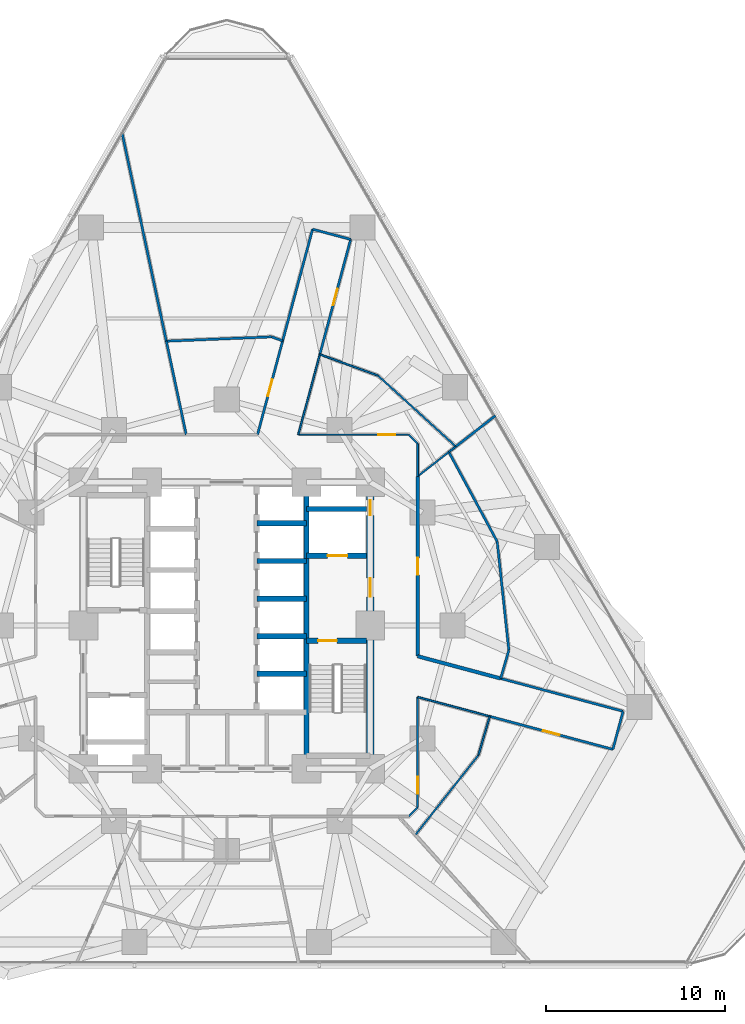
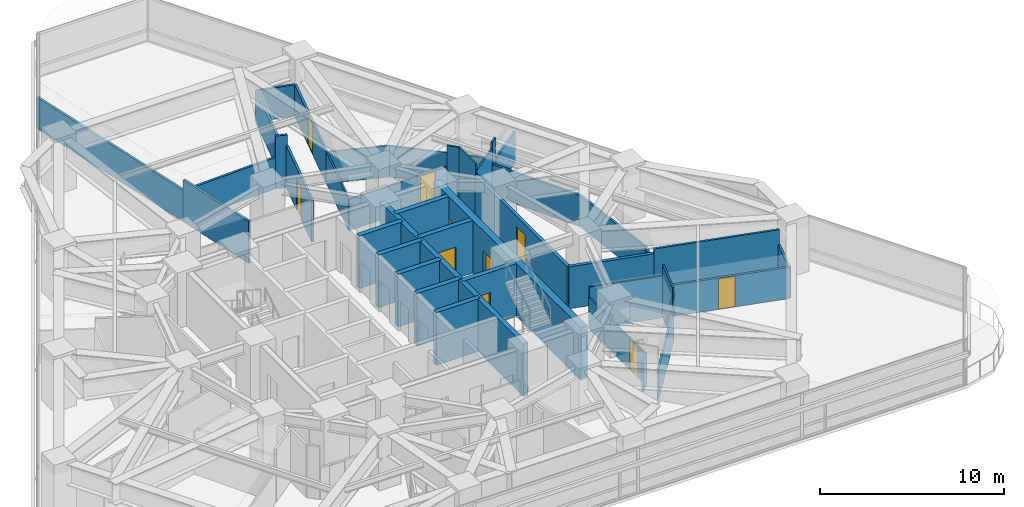
# One storey, part 10 of 15: 40 walls, 10 doors, 10 openings.
"""IFC4 building model written with IfcOpenShell, lengths in metres."""

from ifc_helpers import new_model, si_unit, direction, frame, frame_2d, origin, place, context, subcontext, project, spatial, rectangle, extrude, material, layer, layer_set, type_object, element, fill, save


model = new_model("IFC4")

# Units and contexts
model_context = context("Model", 3, precision=1e-05, world=origin(), true_north=direction((0.0, 1.0)))
body_context = subcontext(model_context, "Body", "Model", "MODEL_VIEW")
ifc_project = project(units=[si_unit("LENGTHUNIT", "METRE"), si_unit("AREAUNIT", "SQUARE_METRE"), si_unit("VOLUMEUNIT", "CUBIC_METRE"), si_unit("PLANEANGLEUNIT", "RADIAN"), si_unit("MASSUNIT", "GRAM", prefix="KILO")], contexts=[model_context])

# Site, building, storey
site_placement = place(None, origin())
site = spatial("IfcSite", under=ifc_project, at=site_placement, CompositionType="ELEMENT")
building_placement = place(site_placement, origin())
building = spatial("IfcBuilding", under=site, at=building_placement, Name="Terralouvre Media Tower", CompositionType="ELEMENT")
storey_placement = place(building_placement, frame((0.0, 0.0, 51.89990234375)))
storey = spatial("IfcBuildingStorey", under=building, at=storey_placement, Name="L12", CompositionType="ELEMENT", Elevation=51.89990234375)

# Wall
ifc_material_1 = material(Name="Concrete C50/60", Category="concrete")
ifc_layer_1 = layer(ifc_material_1, 0.300048828125, Name="Core Internal Shaft Wall CW-300")
ifc_layer_set_1 = layer_set([ifc_layer_1], Name="Concrete C50/60")
wall_type_1 = type_object("IfcWallType", Name="Core Internal Shaft Wall CW-300", PredefinedType="SHEAR", material=ifc_layer_set_1)
wall_1_placement = place(storey_placement, frame((4.449951171875, -7.7900390625, 0.0), z_axis=(0.0, 0.0, 1.0), x_axis=(0.0, 1.0, 0.0)))
element("IfcWall", 1, at=wall_1_placement, inside=storey, type_object=wall_type_1, Name="L12 Core Shaft Wall SPE", PredefinedType="SHEAR", context=body_context, shape_type="SweptSolid", body=[
    extrude(rectangle(XDim=15.580078125, YDim=0.300048828125, at=frame_2d((7.7900390625, 0.0))), origin(), (0.0, 0.0, 1.0), 3.5),
])

# Wall, opening, door
wall_2_placement = place(storey_placement, frame((4.449951171875, -0.85009765625, 0.0), z_axis=(0.0, 0.0, 1.0), x_axis=(1.0, 0.0, 0.0)))
wall_2 = element("IfcWall", 2, at=wall_2_placement, inside=storey, type_object=wall_type_1, Name="L12 Core Shaft Wall ST2D", PredefinedType="SHEAR", context=body_context, shape_type="SweptSolid", body=[
    extrude(rectangle(XDim=3.340087890625, YDim=0.300048828125, at=frame_2d((1.669921875, 0.0))), origin(), (0.0, 0.0, 1.0), 3.5),
])
opening_1_placement = place(wall_2_placement, frame((0.64990234375, 0.0, 0.0)))
opening_1 = element("IfcOpeningElement", 3, at=opening_1_placement, cuts=wall_2, Name="Opening FD-01-105X215", PredefinedType="OPENING", context=body_context, shape_type="SweptSolid", body=[
    extrude(rectangle(XDim=1.050048828125, YDim=2.14990234375, at=frame_2d((0.52490234375, 1.074951171875))), frame((0.0, 0.159912109375, 0.0), z_axis=(0.0, -1.0, 0.0), x_axis=(1.0, 0.0, 0.0)), (0.0, 0.0, 1.0), 0.320068359375),
])
ifc_material_2 = material(Name="Galvanised steel fire-resisting leaf", Category="steel")
door_type_1 = type_object("IfcDoorType", Name="Stair and Firefighting Lobby Fire Door FD-01 (1050x2150)", OperationType="NOTDEFINED", PredefinedType="DOOR", material=ifc_material_2)
door_1_placement = place(opening_1_placement, origin())
door_1 = element("IfcDoor", 4, at=door_1_placement, inside=storey, type_object=door_type_1, Name="L12 ST-02 Exit Stair Door", OperationType="SINGLE_SWING_RIGHT", OverallHeight=2.14990234375, OverallWidth=1.050048828125, PredefinedType="DOOR", context=body_context, shape_type="SweptSolid", body=[
    extrude(rectangle(XDim=1.050048828125, YDim=2.14990234375, at=frame_2d((0.52490234375, 1.074951171875))), frame((0.0, 0.02490234375, 0.0), z_axis=(0.0, -1.0, 0.0), x_axis=(1.0, 0.0, 0.0)), (0.0, 0.0, 1.0), 0.050048828125),
])
fill(opening_1, door_1)

wall_3_placement = place(storey_placement, frame((4.449951171875, 3.89990234375, 0.0), z_axis=(0.0, 0.0, 1.0), x_axis=(1.0, 0.0, 0.0)))
wall_3 = element("IfcWall", 5, at=wall_3_placement, inside=storey, type_object=wall_type_1, Name="L12 Core Shaft Wall FF2S", PredefinedType="SHEAR", context=body_context, shape_type="SweptSolid", body=[
    extrude(rectangle(XDim=3.340087890625, YDim=0.300048828125, at=frame_2d((1.669921875, 0.0))), origin(), (0.0, 0.0, 1.0), 3.5),
])
opening_2_placement = place(wall_3_placement, frame((1.179931640625, 0.0, 0.0)))
opening_2 = element("IfcOpeningElement", 6, at=opening_2_placement, cuts=wall_3, Name="Opening LD-FF", PredefinedType="OPENING", context=body_context, shape_type="SweptSolid", body=[
    extrude(rectangle(XDim=1.10009765625, YDim=2.10009765625, at=frame_2d((0.550048828125, 1.050048828125))), frame((0.0, 0.159912109375, 0.0), z_axis=(0.0, -1.0, 0.0), x_axis=(1.0, 0.0, 0.0)), (0.0, 0.0, 1.0), 0.320068359375),
])
ifc_material_3 = material(Name="Stainless steel 316 handrail and balustrade", Category="steel")
door_type_2 = type_object("IfcDoorType", Name="Firefighting Lift Sliding Landing Door LD-FF", OperationType="SLIDING_TO_LEFT", PredefinedType="DOOR", material=ifc_material_3)
door_2_placement = place(opening_2_placement, origin())
door_2 = element("IfcDoor", 7, at=door_2_placement, inside=storey, type_object=door_type_2, Name="L12 Firefighting Lift FFL-02 Landing Door", OperationType="SLIDING_TO_LEFT", OverallHeight=2.10009765625, OverallWidth=1.10009765625, PredefinedType="DOOR", context=body_context, shape_type="SweptSolid", body=[
    extrude(rectangle(XDim=1.10009765625, YDim=2.10009765625, at=frame_2d((0.550048828125, 1.050048828125))), frame((0.0, 0.02490234375, 0.0), z_axis=(0.0, -1.0, 0.0), x_axis=(1.0, 0.0, 0.0)), (0.0, 0.0, 1.0), 0.050048828125),
])
fill(opening_2, door_2)

# Walls
wall_4_placement = place(storey_placement, frame((4.449951171875, 6.5, 0.0), z_axis=(0.0, 0.0, 1.0), x_axis=(1.0, 0.0, 0.0)))
element("IfcWall", 8, at=wall_4_placement, inside=storey, type_object=wall_type_1, Name="L12 Core Shaft Wall FF2N", PredefinedType="SHEAR", context=body_context, shape_type="SweptSolid", body=[
    extrude(rectangle(XDim=3.340087890625, YDim=0.300048828125, at=frame_2d((1.669921875, 0.0))), origin(), (0.0, 0.0, 1.0), 3.5),
])
for number, where, z_axis, x_axis, name in (
    (9, (1.679931640625, 1.5, 0.0), (0.0, 0.0, 1.0), (1.0, 0.0, 0.0), "L12 Core Shaft Wall PLMD0"),
    (10, (1.679931640625, 3.60009765625, 0.0), (0.0, 0.0, 1.0), (1.0, 0.0, 0.0), "L12 Core Shaft Wall PLMD1"),
    (11, (1.679931640625, 5.699951171875, 0.0), (0.0, 0.0, 1.0), (1.0, 0.0, 0.0), "L12 Core Shaft Wall PLMD2"),
    (12, (1.679931640625, -2.699951171875, 0.0), (0.0, 0.0, 1.0), (1.0, 0.0, 0.0), "L12 Core Shaft Wall PLHD1"),
    (13, (1.679931640625, -0.60009765625, 0.0), (0.0, 0.0, 1.0), (1.0, 0.0, 0.0), "L12 Core Shaft Wall PLHD2"),
):
    element("IfcWall", number, at=place(storey_placement, frame(where, z_axis=z_axis, x_axis=x_axis)), inside=storey, type_object=wall_type_1, Name=name, PredefinedType="SHEAR", context=body_context, shape_type="SweptSolid", body=[
        extrude(rectangle(XDim=2.77001953125, YDim=0.300048828125, at=frame_2d((1.385009765625, 0.0))), origin(), (0.0, 0.0, 1.0), 3.5),
    ])

# Wall, openings, doors
ifc_material_4 = material(Name="Concrete C60/75", Category="concrete")
ifc_layer_2 = layer(ifc_material_4, 0.419921875, Name="Core Reinforced Concrete Shear Wall CW-420")
ifc_layer_set_2 = layer_set([ifc_layer_2], Name="Concrete C60/75")
wall_type_2 = type_object("IfcWallType", Name="Core Reinforced Concrete Shear Wall CW-420", PredefinedType="SHEAR", material=ifc_layer_set_2)
wall_5_placement = place(storey_placement, frame((8.0, -8.0, 0.0), z_axis=(0.0, 0.0, 1.0), x_axis=(0.0, 1.0, 0.0)))
wall_5 = element("IfcWall", 14, at=wall_5_placement, inside=storey, type_object=wall_type_2, Name="L12 E Core Shear Wall", PredefinedType="SHEAR", context=body_context, shape_type="SweptSolid", body=[
    extrude(rectangle(XDim=16.0, YDim=0.419921875, at=frame_2d((8.0, 0.0))), origin(), (0.0, 0.0, 1.0), 3.5),
])
opening_3_placement = place(wall_5_placement, frame((9.60009765625, 0.0, 0.0)))
opening_3 = element("IfcOpeningElement", 15, at=opening_3_placement, cuts=wall_5, Name="Opening FD-01-105X215", PredefinedType="OPENING", context=body_context, shape_type="SweptSolid", body=[
    extrude(rectangle(XDim=1.050048828125, YDim=2.14990234375, at=frame_2d((0.52490234375, 1.074951171875))), frame((0.0, 0.219970703125, 0.0), z_axis=(0.0, -1.0, 0.0), x_axis=(1.0, 0.0, 0.0)), (0.0, 0.0, 1.0), 0.43994140625),
])
opening_4_placement = place(wall_5_placement, frame((14.148193359375, 0.0, 0.0)))
opening_4 = element("IfcOpeningElement", 16, at=opening_4_placement, cuts=wall_5, Name="Opening TD-R1", PredefinedType="OPENING", context=body_context, shape_type="SweptSolid", body=[
    extrude(rectangle(XDim=0.85009765625, YDim=2.02001953125, at=frame_2d((0.425048828125, 1.010009765625))), frame((0.0, 0.219970703125, 0.0), z_axis=(0.0, -1.0, 0.0), x_axis=(1.0, 0.0, 0.0)), (0.0, 0.0, 1.0), 0.43994140625),
])
ifc_material_5 = material(Name="Galvanised steel fire-resisting leaf", Category="steel")
door_type_3 = type_object("IfcDoorType", Name="Riser Inspection Access Trapdoor TD-R1", OperationType="NOTDEFINED", PredefinedType="TRAPDOOR", material=ifc_material_5)
door_3_placement = place(opening_4_placement, origin())
door_3 = element("IfcDoor", 17, at=door_3_placement, inside=storey, type_object=door_type_3, Name="L12 East Comms Riser Access Trapdoor", OperationType="SINGLE_SWING_RIGHT", OverallHeight=2.02001953125, OverallWidth=0.85009765625, PredefinedType="TRAPDOOR", context=body_context, shape_type="SweptSolid", body=[
    extrude(rectangle(XDim=0.85009765625, YDim=2.02001953125, at=frame_2d((0.425048828125, 1.010009765625))), frame((0.0, 0.02490234375, 0.0), z_axis=(0.0, -1.0, 0.0), x_axis=(1.0, 0.0, 0.0)), (0.0, 0.0, 1.0), 0.050048828125),
])
fill(opening_4, door_3)
door_4_placement = place(opening_3_placement, origin())
door_4 = element("IfcDoor", 18, at=door_4_placement, inside=storey, type_object=door_type_1, Name="L12 East Firefighting Lobby Entry Door", OperationType="SINGLE_SWING_LEFT", OverallHeight=2.14990234375, OverallWidth=1.050048828125, PredefinedType="DOOR", context=body_context, shape_type="SweptSolid", body=[
    extrude(rectangle(XDim=1.050048828125, YDim=2.14990234375, at=frame_2d((0.52490234375, 1.074951171875))), frame((0.0, 0.02490234375, 0.0), z_axis=(0.0, -1.0, 0.0), x_axis=(1.0, 0.0, 0.0)), (0.0, 0.0, 1.0), 0.050048828125),
])
fill(opening_3, door_4)

# Walls
ifc_material_6 = material(Name="Low-iron laminated double glazing with solar-control coating", Category="glass")
ifc_layer_3 = layer(ifc_material_6, 0.10009765625, Name="Demountable Glazed Office Partition PT-GL100")
ifc_layer_set_3 = layer_set([ifc_layer_3], Name="Low-iron laminated double glazing with solar-control coating")
wall_type_3 = type_object("IfcWallType", Name="Demountable Glazed Office Partition PT-GL100", PredefinedType="MOVABLE", material=ifc_layer_set_3)
wall_6_placement = place(storey_placement, frame((10.64990234375, 8.321044921875, 0.0), z_axis=(0.0, 0.0, 1.0), x_axis=(0.0, 1.0, 0.0)))
element("IfcWall", 19, at=wall_6_placement, inside=storey, type_object=wall_type_3, Name="L12 Interior Partition 001", PredefinedType="MOVABLE", context=body_context, shape_type="SweptSolid", body=[
    extrude(rectangle(XDim=1.828857421875, YDim=0.10009765625, at=frame_2d((0.91455078125, 0.0))), origin(), (0.0, 0.0, 1.0), 3.5),
])
wall_7_placement = place(storey_placement, frame((10.64990234375, 10.14990234375, 0.0), z_axis=(0.0, 0.0, 1.0), x_axis=(-0.707106781187, 0.707106781187, 0.0)))
element("IfcWall", 20, at=wall_7_placement, inside=storey, type_object=wall_type_3, Name="L12 Interior Partition 002", PredefinedType="MOVABLE", context=body_context, shape_type="SweptSolid", body=[
    extrude(rectangle(XDim=0.70703125, YDim=0.10009765625, at=frame_2d((0.353515625, 0.0))), origin(), (0.0, 0.0, 1.0), 3.5),
])

# Wall, opening, door
wall_8_placement = place(storey_placement, frame((10.14990234375, 10.64990234375, 0.0), z_axis=(0.0, 0.0, 1.0), x_axis=(-1.0, 0.0, 0.0)))
wall_8 = element("IfcWall", 21, at=wall_8_placement, inside=storey, type_object=wall_type_3, Name="L12 Interior Partition 003", PredefinedType="MOVABLE", context=body_context, shape_type="SweptSolid", body=[
    extrude(rectangle(XDim=6.157958984375, YDim=0.10009765625, at=frame_2d((3.0791015625, 0.0))), origin(), (0.0, 0.0, 1.0), 2.085205078125),
])
opening_5_placement = place(wall_8_placement, frame((0.756591796875, 0.0, 0.0)))
opening_5 = element("IfcOpeningElement", 22, at=opening_5_placement, cuts=wall_8, Name="Opening ID-02-95X206", PredefinedType="OPENING", context=body_context, shape_type="SweptSolid", body=[
    extrude(rectangle(XDim=0.949951171875, YDim=2.034912109375, at=frame_2d((0.47509765625, 1.017578125))), frame((0.0, 0.06005859375, 0.0), z_axis=(0.0, -1.0, 0.0), x_axis=(1.0, 0.0, 0.0)), (0.0, 0.0, 1.0), 0.1201171875),
])
ifc_material_7 = material(Name="Engineered hardwood acoustic timber leaf", Category="wood")
door_type_4 = type_object("IfcDoorType", Name="Office and Meeting Room Door ID-02 (950x2065)", OperationType="NOTDEFINED", PredefinedType="DOOR", material=ifc_material_7)
door_5_placement = place(opening_5_placement, origin())
door_5 = element("IfcDoor", 23, at=door_5_placement, inside=storey, type_object=door_type_4, Name="L12 Voice Coaching Interview Room 1 Door", OperationType="SINGLE_SWING_RIGHT", OverallHeight=2.034912109375, OverallWidth=0.949951171875, PredefinedType="DOOR", context=body_context, shape_type="SweptSolid", body=[
    extrude(rectangle(XDim=0.949951171875, YDim=2.034912109375, at=frame_2d((0.47509765625, 1.017578125))), frame((0.0, 0.02490234375, 0.0), z_axis=(0.0, -1.0, 0.0), x_axis=(1.0, 0.0, 0.0)), (0.0, 0.0, 1.0), 0.050048828125),
])
fill(opening_5, door_5)

# Walls
wall_9_placement = place(storey_placement, frame((3.991943359375, 10.64990234375, 0.0), z_axis=(0.0, 0.0, 1.0), x_axis=(0.258832601786, 0.965922193685, 0.0)))
element("IfcWall", 24, at=wall_9_placement, inside=storey, type_object=wall_type_3, Name="L12 Interior Partition 004", PredefinedType="MOVABLE", context=body_context, shape_type="SweptSolid", body=[
    extrude(rectangle(XDim=4.635986328125, YDim=0.10009765625, at=frame_2d((2.31787109375, 0.0))), origin(), (0.0, 0.0, 1.0), 2.085205078125),
])
wall_10_placement = place(storey_placement, frame((10.14990234375, -10.64990234375, 0.0), z_axis=(0.0, 0.0, 1.0), x_axis=(0.707106781187, 0.707106781187, 0.0)))
element("IfcWall", 25, at=wall_10_placement, inside=storey, type_object=wall_type_3, Name="L12 Interior Partition 006", PredefinedType="MOVABLE", context=body_context, shape_type="SweptSolid", body=[
    extrude(rectangle(XDim=0.70703125, YDim=0.10009765625, at=frame_2d((0.353515625, 0.0))), origin(), (0.0, 0.0, 1.0), 2.085205078125),
])

# Wall, opening, door
wall_11_placement = place(storey_placement, frame((10.64990234375, -10.14990234375, 0.0), z_axis=(0.0, 0.0, 1.0), x_axis=(0.0, 1.0, 0.0)))
wall_11 = element("IfcWall", 26, at=wall_11_placement, inside=storey, type_object=wall_type_3, Name="L12 Interior Partition 007", PredefinedType="MOVABLE", context=body_context, shape_type="SweptSolid", body=[
    extrude(rectangle(XDim=6.157958984375, YDim=0.10009765625, at=frame_2d((3.0791015625, 0.0))), origin(), (0.0, 0.0, 1.0), 2.085205078125),
])
opening_6_placement = place(wall_11_placement, frame((0.756591796875, 0.0, 0.0)))
opening_6 = element("IfcOpeningElement", 27, at=opening_6_placement, cuts=wall_11, Name="Opening ID-02-95X206", PredefinedType="OPENING", context=body_context, shape_type="SweptSolid", body=[
    extrude(rectangle(XDim=0.949951171875, YDim=2.034912109375, at=frame_2d((0.47509765625, 1.017578125))), frame((0.0, 0.06005859375, 0.0), z_axis=(0.0, -1.0, 0.0), x_axis=(1.0, 0.0, 0.0)), (0.0, 0.0, 1.0), 0.1201171875),
])
door_6_placement = place(opening_6_placement, origin())
door_6 = element("IfcDoor", 28, at=door_6_placement, inside=storey, type_object=door_type_4, Name="L12 Digital Editing Lecture Room 2 Door", OperationType="SINGLE_SWING_LEFT", OverallHeight=2.034912109375, OverallWidth=0.949951171875, PredefinedType="DOOR", context=body_context, shape_type="SweptSolid", body=[
    extrude(rectangle(XDim=0.949951171875, YDim=2.034912109375, at=frame_2d((0.47509765625, 1.017578125))), frame((0.0, 0.02490234375, 0.0), z_axis=(0.0, -1.0, 0.0), x_axis=(1.0, 0.0, 0.0)), (0.0, 0.0, 1.0), 0.050048828125),
])
fill(opening_6, door_6)

# Walls
wall_12_placement = place(storey_placement, frame((10.64990234375, -3.991943359375, 0.0), z_axis=(0.0, 0.0, 1.0), x_axis=(0.965903293856, -0.258903122651, 0.0)))
element("IfcWall", 29, at=wall_12_placement, inside=storey, type_object=wall_type_3, Name="L12 Interior Partition 008", PredefinedType="MOVABLE", context=body_context, shape_type="SweptSolid", body=[
    extrude(rectangle(XDim=4.164306640625, YDim=0.10009765625, at=frame_2d((2.08203125, 0.0))), origin(), (0.0, 0.0, 1.0), 2.78515625),
])
wall_13_placement = place(storey_placement, frame((12.782958984375, 9.987060546875, 0.0), z_axis=(0.0, 0.0, 1.0), x_axis=(-0.739244565006, 0.6734370595, 0.0)))
element("IfcWall", 30, at=wall_13_placement, inside=storey, type_object=wall_type_3, Name="L12 Interior Partition 036", PredefinedType="MOVABLE", context=body_context, shape_type="SweptSolid", body=[
    extrude(rectangle(XDim=5.880126953125, YDim=0.10009765625, at=frame_2d((2.93994140625, 0.0))), origin(), (0.0, 0.0, 1.0), 2.085205078125),
])
wall_14_placement = place(storey_placement, frame((8.43603515625, 13.947021484375, 0.0), z_axis=(0.0, 0.0, 1.0), x_axis=(-0.939679812385, 0.342055332067, 0.0)))
element("IfcWall", 31, at=wall_14_placement, inside=storey, type_object=wall_type_3, Name="L12 Interior Partition 037", PredefinedType="MOVABLE", context=body_context, shape_type="SweptSolid", body=[
    extrude(rectangle(XDim=3.452392578125, YDim=0.10009765625, at=frame_2d((1.72607421875, 0.0))), origin(), (0.0, 0.0, 1.0), 2.085205078125),
])
wall_15_placement = place(storey_placement, frame((12.39111328125, 9.680908203125, 0.0), z_axis=(0.0, 0.0, 1.0), x_axis=(0.788002042991, 0.615672624243, 0.0)))
element("IfcWall", 32, at=wall_15_placement, inside=storey, type_object=wall_type_3, Name="L12 Interior Partition 038", PredefinedType="MOVABLE", context=body_context, shape_type="SweptSolid", body=[
    extrude(rectangle(XDim=0.497314453125, YDim=0.10009765625, at=frame_2d((0.24853515625, 0.0))), origin(), (0.0, 0.0, 1.0), 3.5),
])
wall_16_placement = place(storey_placement, frame((10.64990234375, 8.321044921875, 0.0), z_axis=(0.0, 0.0, 1.0), x_axis=(0.788124883644, 0.615515367624, 0.0)))
element("IfcWall", 33, at=wall_16_placement, inside=storey, type_object=wall_type_3, Name="L12 Interior Partition 039", PredefinedType="MOVABLE", context=body_context, shape_type="SweptSolid", body=[
    extrude(rectangle(XDim=2.209228515625, YDim=0.10009765625, at=frame_2d((1.1044921875, 0.0))), origin(), (0.0, 0.0, 1.0), 3.085205078125),
])
wall_17_placement = place(storey_placement, frame((10.52197265625, -11.68603515625, 0.0), z_axis=(0.0, 0.0, 1.0), x_axis=(0.620628051287, 0.784105108997, 0.0)))
element("IfcWall", 34, at=wall_17_placement, inside=storey, type_object=wall_type_3, Name="L12 Interior Partition 040", PredefinedType="MOVABLE", context=body_context, shape_type="SweptSolid", body=[
    extrude(rectangle(XDim=5.677978515625, YDim=0.10009765625, at=frame_2d((2.8388671875, 0.0))), origin(), (0.0, 0.0, 1.0), 2.085205078125),
])
wall_18_placement = place(storey_placement, frame((14.0458984375, -7.23388671875, 0.0), z_axis=(0.0, 0.0, 1.0), x_axis=(0.277997548775, 0.960581783543, 0.0)))
element("IfcWall", 35, at=wall_18_placement, inside=storey, type_object=wall_type_3, Name="L12 Interior Partition 041", PredefinedType="MOVABLE", context=body_context, shape_type="SweptSolid", body=[
    extrude(rectangle(XDim=2.252685546875, YDim=0.10009765625, at=frame_2d((1.12646484375, 0.0))), origin(), (0.0, 0.0, 1.0), 3.5),
])
ifc_material_8 = material(Name="Fire-rated gypsum board drywall partition")
ifc_layer_4 = layer(ifc_material_8, 0.199951171875, Name="Fire-Rated Shaft and Lobby Partition FW-200")
ifc_layer_set_4 = layer_set([ifc_layer_4], Name="Fire-rated gypsum board drywall partition")
wall_type_4 = type_object("IfcWallType", Name="Fire-Rated Shaft and Lobby Partition FW-200", PredefinedType="SOLIDWALL", material=ifc_layer_set_4)
wall_19_placement = place(storey_placement, frame((15.282958984375, -2.9560546875, 0.0), z_axis=(0.0, 0.0, 1.0), x_axis=(-0.96594964167, 0.258730148528, 0.0)))
element("IfcWall", 36, at=wall_19_placement, inside=storey, type_object=wall_type_4, Name="L12 Interior Partition 022", PredefinedType="SOLIDWALL", context=body_context, shape_type="SweptSolid", body=[
    extrude(rectangle(XDim=4.79638671875, YDim=0.199951171875, at=frame_2d((2.398193359375, 0.0))), origin(), (0.0, 0.0, 1.0), 2.78515625),
])

# Wall, opening, door
wall_20_placement = place(storey_placement, frame((10.64990234375, -1.715087890625, 0.0), z_axis=(0.0, 0.0, 1.0), x_axis=(0.0, 1.0, 0.0)))
wall_20 = element("IfcWall", 37, at=wall_20_placement, inside=storey, type_object=wall_type_4, Name="L12 Interior Partition 023", PredefinedType="SOLIDWALL", context=body_context, shape_type="SweptSolid", body=[
    extrude(rectangle(XDim=10.0361328125, YDim=0.199951171875, at=frame_2d((5.01806640625, 0.0))), origin(), (0.0, 0.0, 1.0), 2.78515625),
])
opening_7_placement = place(wall_20_placement, frame((4.54296875, 0.0, 0.0)))
opening_7 = element("IfcOpeningElement", 38, at=opening_7_placement, cuts=wall_20, Name="Opening FD-02-95X210", PredefinedType="OPENING", context=body_context, shape_type="SweptSolid", body=[
    extrude(rectangle(XDim=0.949951171875, YDim=2.10009765625, at=frame_2d((0.47509765625, 1.050048828125))), frame((0.0, 0.10986328125, 0.0), z_axis=(0.0, -1.0, 0.0), x_axis=(1.0, 0.0, 0.0)), (0.0, 0.0, 1.0), 0.219970703125),
])
ifc_material_9 = material(Name="Galvanised steel fire-resisting leaf", Category="steel")
door_type_5 = type_object("IfcDoorType", Name="Plant and Riser Fire Door FD-02 (950x2100)", OperationType="NOTDEFINED", PredefinedType="DOOR", material=ifc_material_9)
door_7_placement = place(opening_7_placement, origin())
door_7 = element("IfcDoor", 39, at=door_7_placement, inside=storey, type_object=door_type_5, Name="L12 AV Teaching Rack Server Room 8 Door", OperationType="SINGLE_SWING_LEFT", OverallHeight=2.10009765625, OverallWidth=0.949951171875, PredefinedType="DOOR", context=body_context, shape_type="SweptSolid", body=[
    extrude(rectangle(XDim=0.949951171875, YDim=2.10009765625, at=frame_2d((0.47509765625, 1.050048828125))), frame((0.0, 0.02490234375, 0.0), z_axis=(0.0, -1.0, 0.0), x_axis=(1.0, 0.0, 0.0)), (0.0, 0.0, 1.0), 0.050048828125),
])
fill(opening_7, door_7)

ifc_material_10 = material(Name="Fire-rated gypsum board drywall partition")
ifc_layer_5 = layer(ifc_material_10, 0.135009765625, Name="Newsroom Acoustic Partition PT-135")
ifc_layer_set_5 = layer_set([ifc_layer_5], Name="Fire-rated gypsum board drywall partition")
wall_type_5 = type_object("IfcWallType", Name="Newsroom Acoustic Partition PT-135", PredefinedType="PARTITIONING", material=ifc_layer_set_5)
wall_21_placement = place(storey_placement, frame((5.19189453125, 15.1279296875, 0.0), z_axis=(0.0, 0.0, 1.0), x_axis=(0.258929564275, 0.965896205989, 0.0)))
wall_21 = element("IfcWall", 40, at=wall_21_placement, inside=storey, type_object=wall_type_5, Name="L12 Interior Partition 011", PredefinedType="PARTITIONING", context=body_context, shape_type="SweptSolid", body=[
    extrude(rectangle(XDim=6.6435546875, YDim=0.135009765625, at=frame_2d((3.32177734375, 0.0))), origin(), (0.0, 0.0, 1.0), 2.085205078125),
])
opening_8_placement = place(wall_21_placement, frame((2.8466796875, 0.0, 0.0)))
opening_8 = element("IfcOpeningElement", 41, at=opening_8_placement, cuts=wall_21, Name="Opening ID-02-95X206", PredefinedType="OPENING", context=body_context, shape_type="SweptSolid", body=[
    extrude(rectangle(XDim=0.949951171875, YDim=2.034912109375, at=frame_2d((0.47509765625, 1.017578125))), frame((0.0, 0.077392578125, 0.0), z_axis=(0.0, -1.0, 0.0), x_axis=(1.0, 0.0, 0.0)), (0.0, 0.0, 1.0), 0.155029296875),
])
door_8_placement = place(opening_8_placement, origin())
door_8 = element("IfcDoor", 42, at=door_8_placement, inside=storey, type_object=door_type_4, Name="L12 Periodicals Reading Club 4 Door", OperationType="SINGLE_SWING_LEFT", OverallHeight=2.034912109375, OverallWidth=0.949951171875, PredefinedType="DOOR", context=body_context, shape_type="SweptSolid", body=[
    extrude(rectangle(XDim=0.949951171875, YDim=2.034912109375, at=frame_2d((0.47509765625, 1.017578125))), frame((0.0, 0.02490234375, 0.0), z_axis=(0.0, -1.0, 0.0), x_axis=(1.0, 0.0, 0.0)), (0.0, 0.0, 1.0), 0.050048828125),
])
fill(opening_8, door_8)

# Walls
wall_22_placement = place(storey_placement, frame((6.912109375, 21.544921875, 0.0), z_axis=(0.0, 0.0, 1.0), x_axis=(-0.965848933329, 0.259105843213, 0.0)))
element("IfcWall", 43, at=wall_22_placement, inside=storey, type_object=wall_type_5, Name="L12 Interior Partition 012", PredefinedType="PARTITIONING", context=body_context, shape_type="SweptSolid", body=[
    extrude(rectangle(XDim=2.2001953125, YDim=0.135009765625, at=frame_2d((1.10009765625, 0.0))), origin(), (0.0, 0.0, 1.0), 2.085205078125),
])
wall_23_placement = place(storey_placement, frame((4.787109375, 22.114990234375, 0.0), z_axis=(0.0, 0.0, 1.0), x_axis=(-0.25886596283, -0.965913253501, 0.0)))
element("IfcWall", 44, at=wall_23_placement, inside=storey, type_object=wall_type_5, Name="L12 Interior Partition 013", PredefinedType="PARTITIONING", context=body_context, shape_type="SweptSolid", body=[
    extrude(rectangle(XDim=6.451904296875, YDim=0.135009765625, at=frame_2d((3.22607421875, 0.0))), origin(), (0.0, 0.0, 1.0), 2.085205078125),
])

# Wall, opening, door
wall_24_placement = place(storey_placement, frame((14.672119140625, -5.070068359375, 0.0), z_axis=(0.0, 0.0, 1.0), x_axis=(0.965908991917, -0.258881863664, 0.0)))
wall_24 = element("IfcWall", 45, at=wall_24_placement, inside=storey, type_object=wall_type_5, Name="L12 Interior Partition 014", PredefinedType="PARTITIONING", context=body_context, shape_type="SweptSolid", body=[
    extrude(rectangle(XDim=7.115478515625, YDim=0.135009765625, at=frame_2d((3.5576171875, 0.0))), origin(), (0.0, 0.0, 1.0), 2.085205078125),
])
opening_9_placement = place(wall_24_placement, frame((3.082763671875, 0.0, 0.0)))
opening_9 = element("IfcOpeningElement", 46, at=opening_9_placement, cuts=wall_24, Name="Opening ID-02-95X206", PredefinedType="OPENING", context=body_context, shape_type="SweptSolid", body=[
    extrude(rectangle(XDim=0.949951171875, YDim=2.034912109375, at=frame_2d((0.47509765625, 1.017578125))), frame((0.0, 0.077392578125, 0.0), z_axis=(0.0, -1.0, 0.0), x_axis=(1.0, 0.0, 0.0)), (0.0, 0.0, 1.0), 0.155029296875),
])
door_9_placement = place(opening_9_placement, origin())
door_9 = element("IfcDoor", 47, at=door_9_placement, inside=storey, type_object=door_type_4, Name="L12 Faculty Consultation Office 5 Door", OperationType="SINGLE_SWING_RIGHT", OverallHeight=2.034912109375, OverallWidth=0.949951171875, PredefinedType="DOOR", context=body_context, shape_type="SweptSolid", body=[
    extrude(rectangle(XDim=0.949951171875, YDim=2.034912109375, at=frame_2d((0.47509765625, 1.017578125))), frame((0.0, 0.02490234375, 0.0), z_axis=(0.0, -1.0, 0.0), x_axis=(1.0, 0.0, 0.0)), (0.0, 0.0, 1.0), 0.050048828125),
])
fill(opening_9, door_9)

# Walls
wall_25_placement = place(storey_placement, frame((21.544921875, -6.912109375, 0.0), z_axis=(0.0, 0.0, 1.0), x_axis=(0.259105843213, 0.965848933329, 0.0)))
element("IfcWall", 48, at=wall_25_placement, inside=storey, type_object=wall_type_5, Name="L12 Interior Partition 015", PredefinedType="PARTITIONING", context=body_context, shape_type="SweptSolid", body=[
    extrude(rectangle(XDim=2.2001953125, YDim=0.135009765625, at=frame_2d((1.10009765625, 0.0))), origin(), (0.0, 0.0, 1.0), 2.085205078125),
])
wall_26_placement = place(storey_placement, frame((22.114990234375, -4.787109375, 0.0), z_axis=(0.0, 0.0, 1.0), x_axis=(-0.96591107063, 0.258874107695, 0.0)))
element("IfcWall", 49, at=wall_26_placement, inside=storey, type_object=wall_type_5, Name="L12 Interior Partition 016", PredefinedType="PARTITIONING", context=body_context, shape_type="SweptSolid", body=[
    extrude(rectangle(XDim=7.0732421875, YDim=0.135009765625, at=frame_2d((3.53662109375, 0.0))), origin(), (0.0, 0.0, 1.0), 3.085205078125),
])

# Wall, opening, door
wall_27_placement = place(storey_placement, frame((3.116943359375, 15.883056640625, 0.0), z_axis=(0.0, 0.0, 1.0), x_axis=(-0.258756357845, -0.965942621109, 0.0)))
wall_27 = element("IfcWall", 50, at=wall_27_placement, inside=storey, type_object=wall_type_5, Name="L12 Interior Partition 017", PredefinedType="PARTITIONING", context=body_context, shape_type="SweptSolid", body=[
    extrude(rectangle(XDim=5.417724609375, YDim=0.135009765625, at=frame_2d((2.708984375, 0.0))), origin(), (0.0, 0.0, 1.0), 2.78515625),
])
opening_10_placement = place(wall_27_placement, frame((2.23388671875, 0.0, 0.0)))
opening_10 = element("IfcOpeningElement", 51, at=opening_10_placement, cuts=wall_27, Name="Opening ID-02-95X210", PredefinedType="OPENING", context=body_context, shape_type="SweptSolid", body=[
    extrude(rectangle(XDim=0.949951171875, YDim=2.10009765625, at=frame_2d((0.47509765625, 1.050048828125))), frame((0.0, 0.077392578125, 0.0), z_axis=(0.0, -1.0, 0.0), x_axis=(1.0, 0.0, 0.0)), (0.0, 0.0, 1.0), 0.155029296875),
])
ifc_material_11 = material(Name="Engineered hardwood acoustic timber leaf", Category="wood")
door_type_6 = type_object("IfcDoorType", Name="Office and Meeting Room Door ID-02 (950x2100)", OperationType="NOTDEFINED", PredefinedType="DOOR", material=ifc_material_11)
door_10_placement = place(opening_10_placement, origin())
door_10 = element("IfcDoor", 52, at=door_10_placement, inside=storey, type_object=door_type_6, Name="L12 Editorial Collaborative Open Office 6 Door", OperationType="SINGLE_SWING_LEFT", OverallHeight=2.10009765625, OverallWidth=0.949951171875, PredefinedType="DOOR", context=body_context, shape_type="SweptSolid", body=[
    extrude(rectangle(XDim=0.949951171875, YDim=2.10009765625, at=frame_2d((0.47509765625, 1.050048828125))), frame((0.0, 0.02490234375, 0.0), z_axis=(0.0, -1.0, 0.0), x_axis=(1.0, 0.0, 0.0)), (0.0, 0.0, 1.0), 0.050048828125),
])
fill(opening_10, door_10)

# Walls
wall_28_placement = place(storey_placement, frame((12.782958984375, 9.987060546875, 0.0), z_axis=(0.0, 0.0, 1.0), x_axis=(0.788064029995, 0.615593278576, 0.0)))
element("IfcWall", 53, at=wall_28_placement, inside=storey, type_object=wall_type_5, Name="L12 Interior Partition 045", PredefinedType="PARTITIONING", context=body_context, shape_type="SweptSolid", body=[
    extrude(rectangle(XDim=2.800048828125, YDim=0.135009765625, at=frame_2d((1.39990234375, 0.0))), origin(), (0.0, 0.0, 1.0), 2.085205078125),
])
wall_29_placement = place(storey_placement, frame((-3.373046875, 15.866943359375, 0.0), z_axis=(0.0, 0.0, 1.0), x_axis=(0.999166982533, 0.040808589988, 0.0)))
element("IfcWall", 54, at=wall_29_placement, inside=storey, type_object=wall_type_5, Name="L12 Interior Partition 046", PredefinedType="PARTITIONING", context=body_context, shape_type="SweptSolid", body=[
    extrude(rectangle(XDim=5.880859375, YDim=0.135009765625, at=frame_2d((2.9404296875, 0.0))), origin(), (0.0, 0.0, 1.0), 2.085205078125),
])
wall_30_placement = place(storey_placement, frame((2.5029296875, 16.10693359375, 0.0), z_axis=(0.0, 0.0, 1.0), x_axis=(0.93949859082, -0.342552766514, 0.0)))
element("IfcWall", 55, at=wall_30_placement, inside=storey, type_object=wall_type_5, Name="L12 Interior Partition 047", PredefinedType="PARTITIONING", context=body_context, shape_type="SweptSolid", body=[
    extrude(rectangle(XDim=0.653564453125, YDim=0.135009765625, at=frame_2d((0.32666015625, 0.0))), origin(), (0.0, 0.0, 1.0), 3.5),
])
wall_31_placement = place(storey_placement, frame((-5.853515625, 27.53515625, 0.0), z_axis=(0.0, 0.0, 1.0), x_axis=(0.207936838286, -0.978142255137, 0.0)))
element("IfcWall", 56, at=wall_31_placement, inside=storey, type_object=wall_type_5, Name="L12 Interior Partition 048", PredefinedType="PARTITIONING", context=body_context, shape_type="SweptSolid", body=[
    extrude(rectangle(XDim=11.928955078125, YDim=0.135009765625, at=frame_2d((5.96435546875, 0.0))), origin(), (0.0, 0.0, 1.0), 2.085205078125),
])
wall_32_placement = place(storey_placement, frame((12.39111328125, 9.680908203125, 0.0), z_axis=(0.0, 0.0, 1.0), x_axis=(0.475181539821, -0.879887779329, 0.0)))
element("IfcWall", 57, at=wall_32_placement, inside=storey, type_object=wall_type_5, Name="L12 Interior Partition 049", PredefinedType="PARTITIONING", context=body_context, shape_type="SweptSolid", body=[
    extrude(rectangle(XDim=5.677734375, YDim=0.135009765625, at=frame_2d((2.8388671875, 0.0))), origin(), (0.0, 0.0, 1.0), 2.085205078125),
])
wall_33_placement = place(storey_placement, frame((15.089111328125, 4.68505859375, 0.0), z_axis=(0.0, 0.0, 1.0), x_axis=(0.106756517352, -0.994285193495, 0.0)))
element("IfcWall", 58, at=wall_33_placement, inside=storey, type_object=wall_type_5, Name="L12 Interior Partition 050", PredefinedType="PARTITIONING", context=body_context, shape_type="SweptSolid", body=[
    extrude(rectangle(XDim=6.096923828125, YDim=0.135009765625, at=frame_2d((3.04833984375, 0.0))), origin(), (0.0, 0.0, 1.0), 2.085205078125),
])
wall_34_placement = place(storey_placement, frame((15.739990234375, -1.376953125, 0.0), z_axis=(0.0, 0.0, 1.0), x_axis=(-0.2780148037, -0.960576789707, 0.0)))
element("IfcWall", 59, at=wall_34_placement, inside=storey, type_object=wall_type_5, Name="L12 Interior Partition 051", PredefinedType="PARTITIONING", context=body_context, shape_type="SweptSolid", body=[
    extrude(rectangle(XDim=1.643798828125, YDim=0.135009765625, at=frame_2d((0.82177734375, 0.0))), origin(), (0.0, 0.0, 1.0), 2.085205078125),
])
wall_35_placement = place(storey_placement, frame((-3.373046875, 15.866943359375, 0.0), z_axis=(0.0, 0.0, 1.0), x_axis=(0.20795017925, -0.978139418974, 0.0)))
element("IfcWall", 60, at=wall_35_placement, inside=storey, type_object=wall_type_5, Name="L12 Interior Partition 053", PredefinedType="PARTITIONING", context=body_context, shape_type="SweptSolid", body=[
    extrude(rectangle(XDim=5.333740234375, YDim=0.135009765625, at=frame_2d((2.6669921875, 0.0))), origin(), (0.0, 0.0, 1.0), 2.78515625),
])

save(model, "model.ifc")
